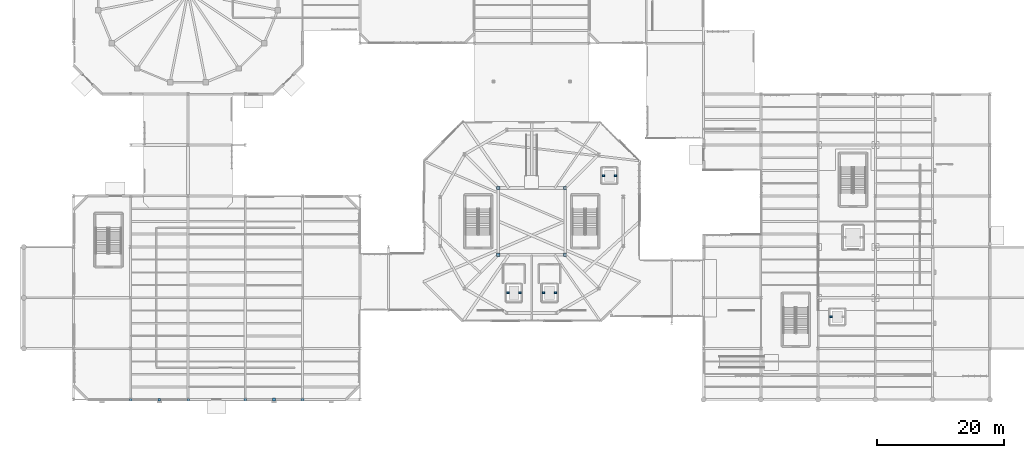
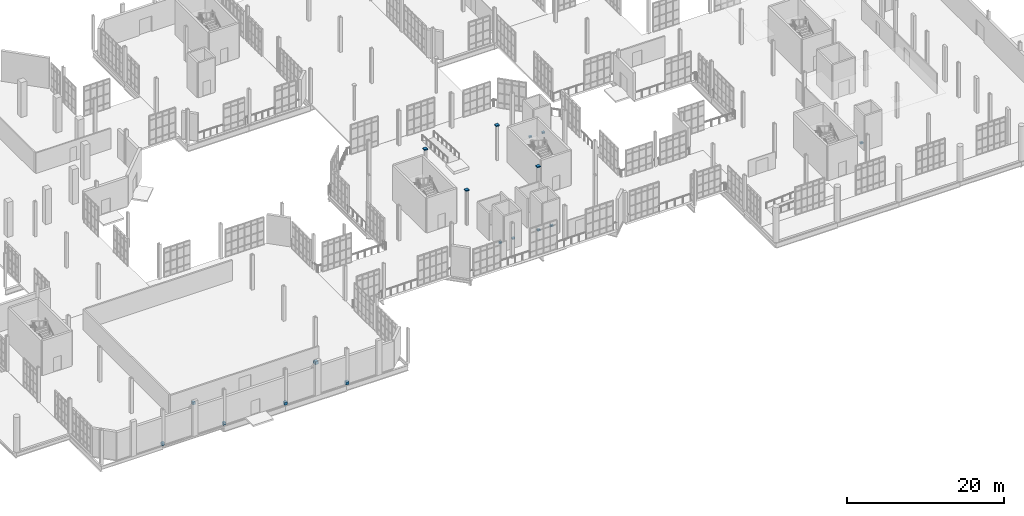
# One storey, part 179 of 189: 17 discrete accessories.
"""IFC4 building model written with IfcOpenShell, lengths in metres."""

from ifc_helpers import new_model, si_unit, direction, frame, origin, place, context, subcontext, project, spatial, polyline, outline, extrude, material, type_object, element, save


model = new_model("IFC4")

# Units and contexts
model_context = context("Model", 3, precision=1e-05, world=origin(), true_north=direction((0.0, 1.0)))
body_context = subcontext(model_context, "Body", "Model", "MODEL_VIEW")
ifc_project = project(units=[si_unit("LENGTHUNIT", "METRE"), si_unit("AREAUNIT", "SQUARE_METRE"), si_unit("VOLUMEUNIT", "CUBIC_METRE"), si_unit("PLANEANGLEUNIT", "RADIAN"), si_unit("MASSUNIT", "GRAM", prefix="KILO"), si_unit("THERMODYNAMICTEMPERATUREUNIT", "KELVIN"), si_unit("POWERUNIT", "WATT")], contexts=[model_context])

# Site, building, storey
site_placement = place(None, origin())
site = spatial("IfcSite", under=ifc_project, at=site_placement, CompositionType="ELEMENT")
building_placement = place(site_placement, origin())
building = spatial("IfcBuilding", under=site, at=building_placement, Name="Zelmaris Science Centre", CompositionType="ELEMENT")
storey_placement = place(building_placement, origin())
storey = spatial("IfcBuildingStorey", under=building, at=storey_placement, Name="L00", CompositionType="ELEMENT", Elevation=0.0)

# Discrete accessories
ifc_material_1 = material(Name="Galvanised steel ASTM A500 Grade B", Category="steel")
discrete_accessory_type_1 = type_object("IfcDiscreteAccessoryType", Name="Facade Bracket BK-02", PredefinedType="BRACKET", material=ifc_material_1)
discrete_accessory_1_placement = place(storey_placement, frame((0.0, 0.0, 0.199951171875)))
element("IfcDiscreteAccessory", 1, at=discrete_accessory_1_placement, inside=storey, type_object=discrete_accessory_type_1, Name="Lift FL-01 guide rail bracket W", PredefinedType="BRACKET", context=body_context, shape_type="SweptSolid", body=[
    extrude(outline(polyline([(77.06005859375, 24.64990234375), (77.43994140625, 24.64990234375), (77.43994140625, 24.949951171875), (77.06005859375, 24.949951171875), (77.06005859375, 24.64990234375)])), origin(), (0.0, 0.0, 1.0), 0.25),
])
discrete_accessory_2_placement = place(storey_placement, frame((0.0, 0.0, 0.199951171875)))
element("IfcDiscreteAccessory", 2, at=discrete_accessory_2_placement, inside=storey, type_object=discrete_accessory_type_1, Name="Lift FL-01 guide rail bracket E", PredefinedType="BRACKET", context=body_context, shape_type="SweptSolid", body=[
    extrude(outline(polyline([(78.9599609375, 24.64990234375), (79.340087890625, 24.64990234375), (79.340087890625, 24.949951171875), (78.9599609375, 24.949951171875), (78.9599609375, 24.64990234375)])), origin(), (0.0, 0.0, 1.0), 0.25),
])
discrete_accessory_3_placement = place(storey_placement, frame((0.0, 0.0, 0.199951171875)))
element("IfcDiscreteAccessory", 3, at=discrete_accessory_3_placement, inside=storey, type_object=discrete_accessory_type_1, Name="Lift FL-02 guide rail bracket W", PredefinedType="BRACKET", context=body_context, shape_type="SweptSolid", body=[
    extrude(outline(polyline([(82.659912109375, 24.64990234375), (83.0400390625, 24.64990234375), (83.0400390625, 24.949951171875), (82.659912109375, 24.949951171875), (82.659912109375, 24.64990234375)])), origin(), (0.0, 0.0, 1.0), 0.25),
])
discrete_accessory_4_placement = place(storey_placement, frame((0.0, 0.0, 0.199951171875)))
element("IfcDiscreteAccessory", 4, at=discrete_accessory_4_placement, inside=storey, type_object=discrete_accessory_type_1, Name="Lift FL-02 guide rail bracket E", PredefinedType="BRACKET", context=body_context, shape_type="SweptSolid", body=[
    extrude(outline(polyline([(84.56005859375, 24.64990234375), (84.93994140625, 24.64990234375), (84.93994140625, 24.949951171875), (84.56005859375, 24.949951171875), (84.56005859375, 24.64990234375)])), origin(), (0.0, 0.0, 1.0), 0.25),
])
discrete_accessory_5_placement = place(storey_placement, frame((0.0, 0.0, 0.199951171875)))
element("IfcDiscreteAccessory", 5, at=discrete_accessory_5_placement, inside=storey, type_object=discrete_accessory_type_1, Name="Lift LP-01 guide rail bracket W", PredefinedType="BRACKET", context=body_context, shape_type="SweptSolid", body=[
    extrude(outline(polyline([(92.06005859375, 43.050048828125), (92.43994140625, 43.050048828125), (92.43994140625, 43.35009765625), (92.06005859375, 43.35009765625), (92.06005859375, 43.050048828125)])), origin(), (0.0, 0.0, 1.0), 0.25),
])
discrete_accessory_6_placement = place(storey_placement, frame((0.0, 0.0, 0.199951171875)))
element("IfcDiscreteAccessory", 6, at=discrete_accessory_6_placement, inside=storey, type_object=discrete_accessory_type_1, Name="Lift LP-01 guide rail bracket E", PredefinedType="BRACKET", context=body_context, shape_type="SweptSolid", body=[
    extrude(outline(polyline([(93.9599609375, 43.050048828125), (94.340087890625, 43.050048828125), (94.340087890625, 43.35009765625), (93.9599609375, 43.35009765625), (93.9599609375, 43.050048828125)])), origin(), (0.0, 0.0, 1.0), 0.25),
])
discrete_accessory_7_placement = place(storey_placement, frame((0.0, 0.0, 0.199951171875)))
element("IfcDiscreteAccessory", 7, at=discrete_accessory_7_placement, inside=storey, type_object=discrete_accessory_type_1, Name="Lift LP-02 guide rail bracket W", PredefinedType="BRACKET", context=body_context, shape_type="SweptSolid", body=[
    extrude(outline(polyline([(127.860107421875, 20.85009765625), (128.239990234375, 20.85009765625), (128.239990234375, 21.14990234375), (127.860107421875, 21.14990234375), (127.860107421875, 20.85009765625)])), origin(), (0.0, 0.0, 1.0), 0.25),
])
ifc_material_2 = material(Name="Steel ASTM A500 Grade C", Category="steel")
discrete_accessory_type_2 = type_object("IfcDiscreteAccessoryType", Name="Hollow Section End Cap Plate BK-ECP", PredefinedType="BRACKET", material=ifc_material_2)
discrete_accessory_8_placement = place(storey_placement, frame((0.0, 0.0, 5.326904296875)))
element("IfcDiscreteAccessory", 8, at=discrete_accessory_8_placement, inside=storey, type_object=discrete_accessory_type_2, Name="End cap plate 3", PredefinedType="BRACKET", context=body_context, shape_type="SweptSolid", body=[
    extrude(outline(polyline([(75.502197265625, 30.502197265625), (75.997802734375, 30.502197265625), (75.997802734375, 30.997802734375), (75.502197265625, 30.997802734375), (75.502197265625, 30.502197265625)])), origin(), (0.0, 0.0, 1.0), 0.158203125),
])
discrete_accessory_9_placement = place(storey_placement, frame((0.0, 0.0, 5.326904296875)))
element("IfcDiscreteAccessory", 9, at=discrete_accessory_9_placement, inside=storey, type_object=discrete_accessory_type_2, Name="End cap plate 11", PredefinedType="BRACKET", context=body_context, shape_type="SweptSolid", body=[
    extrude(outline(polyline([(86.002197265625, 30.502197265625), (86.497802734375, 30.502197265625), (86.497802734375, 30.997802734375), (86.002197265625, 30.997802734375), (86.002197265625, 30.502197265625)])), origin(), (0.0, 0.0, 1.0), 0.158203125),
])
discrete_accessory_10_placement = place(storey_placement, frame((0.0, 0.0, 5.326904296875)))
element("IfcDiscreteAccessory", 10, at=discrete_accessory_10_placement, inside=storey, type_object=discrete_accessory_type_2, Name="End cap plate 19", PredefinedType="BRACKET", context=body_context, shape_type="SweptSolid", body=[
    extrude(outline(polyline([(86.002197265625, 41.002197265625), (86.497802734375, 41.002197265625), (86.497802734375, 41.497802734375), (86.002197265625, 41.497802734375), (86.002197265625, 41.002197265625)])), origin(), (0.0, 0.0, 1.0), 0.158203125),
])
discrete_accessory_11_placement = place(storey_placement, frame((0.0, 0.0, 5.326904296875)))
element("IfcDiscreteAccessory", 11, at=discrete_accessory_11_placement, inside=storey, type_object=discrete_accessory_type_2, Name="End cap plate 27", PredefinedType="BRACKET", context=body_context, shape_type="SweptSolid", body=[
    extrude(outline(polyline([(75.502197265625, 41.002197265625), (75.997802734375, 41.002197265625), (75.997802734375, 41.497802734375), (75.502197265625, 41.497802734375), (75.502197265625, 41.002197265625)])), origin(), (0.0, 0.0, 1.0), 0.158203125),
])
discrete_accessory_12_placement = place(storey_placement, frame((0.0, 0.0, -0.114990234375)))
element("IfcDiscreteAccessory", 12, at=discrete_accessory_12_placement, inside=storey, type_object=discrete_accessory_type_2, Name="End cap plate 554", PredefinedType="BRACKET", context=body_context, shape_type="SweptSolid", body=[
    extrude(outline(polyline([(17.80517578125, 7.80908203125), (18.186767578125, 7.80908203125), (18.186767578125, 8.19091796875), (17.80517578125, 8.19091796875), (17.80517578125, 7.80908203125)])), origin(), (0.0, 0.0, 1.0), 0.381591796875),
])
discrete_accessory_13_placement = place(storey_placement, frame((0.0, 0.0, 4.613525390625)))
element("IfcDiscreteAccessory", 13, at=discrete_accessory_13_placement, inside=storey, type_object=discrete_accessory_type_2, Name="End cap plate 555", PredefinedType="BRACKET", context=body_context, shape_type="SweptSolid", body=[
    extrude(outline(polyline([(22.313232421875, 7.80908203125), (22.69482421875, 7.80908203125), (22.69482421875, 8.19091796875), (22.313232421875, 8.19091796875), (22.313232421875, 7.80908203125)])), origin(), (0.0, 0.0, 1.0), 0.381591796875),
])
discrete_accessory_14_placement = place(storey_placement, frame((0.0, 0.0, -0.114990234375)))
element("IfcDiscreteAccessory", 14, at=discrete_accessory_14_placement, inside=storey, type_object=discrete_accessory_type_2, Name="End cap plate 556", PredefinedType="BRACKET", context=body_context, shape_type="SweptSolid", body=[
    extrude(outline(polyline([(26.813232421875, 7.80908203125), (27.19482421875, 7.80908203125), (27.19482421875, 8.19091796875), (26.813232421875, 8.19091796875), (26.813232421875, 7.80908203125)])), origin(), (0.0, 0.0, 1.0), 0.381591796875),
])
discrete_accessory_15_placement = place(storey_placement, frame((0.0, 0.0, -0.1435546875)))
element("IfcDiscreteAccessory", 15, at=discrete_accessory_15_placement, inside=storey, type_object=discrete_accessory_type_2, Name="End cap plate 566", PredefinedType="BRACKET", context=body_context, shape_type="SweptSolid", body=[
    extrude(outline(polyline([(35.776611328125, 7.78076171875), (36.215087890625, 7.78076171875), (36.215087890625, 8.21923828125), (35.776611328125, 8.21923828125), (35.776611328125, 7.78076171875)])), origin(), (0.0, 0.0, 1.0), 0.4384765625),
])
discrete_accessory_16_placement = place(storey_placement, frame((0.0, 0.0, 4.585205078125)))
element("IfcDiscreteAccessory", 16, at=discrete_accessory_16_placement, inside=storey, type_object=discrete_accessory_type_2, Name="End cap plate 567", PredefinedType="BRACKET", context=body_context, shape_type="SweptSolid", body=[
    extrude(outline(polyline([(40.284912109375, 7.78076171875), (40.723388671875, 7.78076171875), (40.723388671875, 8.21923828125), (40.284912109375, 8.21923828125), (40.284912109375, 7.78076171875)])), origin(), (0.0, 0.0, 1.0), 0.438232421875),
])
discrete_accessory_17_placement = place(storey_placement, frame((0.0, 0.0, -0.1435546875)))
element("IfcDiscreteAccessory", 17, at=discrete_accessory_17_placement, inside=storey, type_object=discrete_accessory_type_2, Name="End cap plate 568", PredefinedType="BRACKET", context=body_context, shape_type="SweptSolid", body=[
    extrude(outline(polyline([(44.784912109375, 7.78076171875), (45.223388671875, 7.78076171875), (45.223388671875, 8.21923828125), (44.784912109375, 8.21923828125), (44.784912109375, 7.78076171875)])), origin(), (0.0, 0.0, 1.0), 0.4384765625),
])

save(model, "model.ifc")
